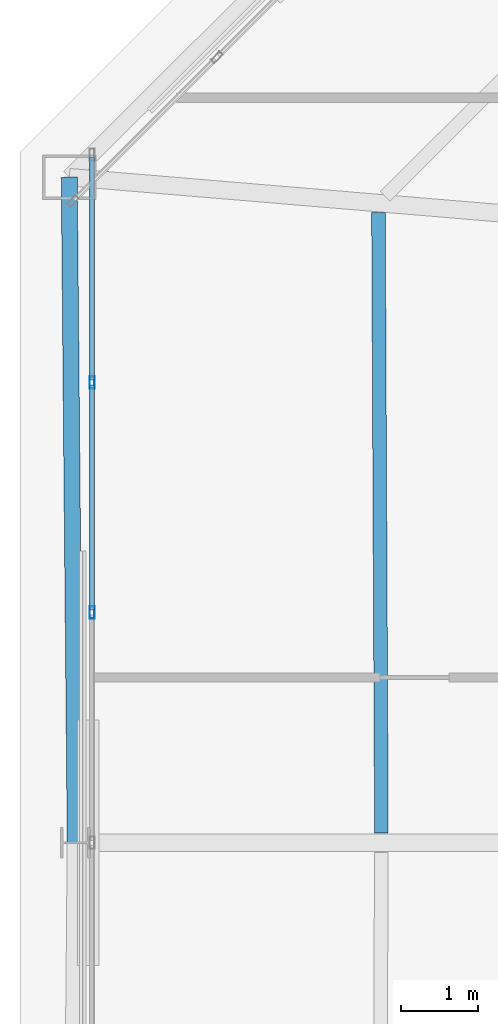
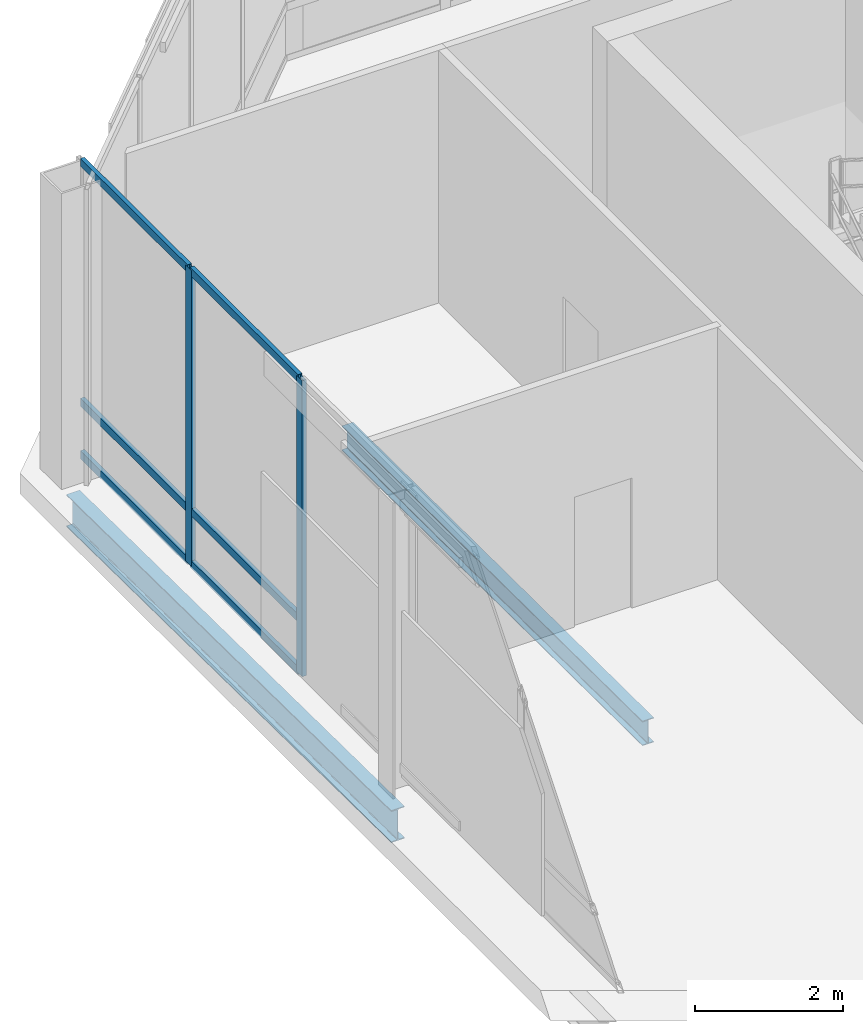
# One storey, part 8 of 21: 8 members, 2 beams, 1 element without a shape of its own.
"""IFC4 building model written with IfcOpenShell, lengths in metres."""

from ifc_helpers import new_model, si_unit, direction, frame, origin, origin_2d, place, context, subcontext, project, spatial, hollow_rectangle, i_section, extrude, material, layer, layer_set, material_profile, profile_set, type_object, element, aggregate, save


model = new_model("IFC4")

# Units and contexts
model_context = context("Model", 3, precision=1e-05, world=origin(), true_north=direction((0.0, 1.0)))
body_context = subcontext(model_context, "Body", "Model", "MODEL_VIEW")
ifc_project = project(units=[si_unit("LENGTHUNIT", "METRE"), si_unit("AREAUNIT", "SQUARE_METRE"), si_unit("VOLUMEUNIT", "CUBIC_METRE"), si_unit("PLANEANGLEUNIT", "RADIAN"), si_unit("MASSUNIT", "GRAM", prefix="KILO")], contexts=[model_context])

# Site, building, storey
site_placement = place(None, origin())
site = spatial("IfcSite", under=ifc_project, at=site_placement, CompositionType="ELEMENT")
building_placement = place(site_placement, origin())
building = spatial("IfcBuilding", under=site, at=building_placement, Name="Caelvoria Tower", CompositionType="ELEMENT")
storey_placement = place(building_placement, frame((0.0, 0.0, 279.0)))
storey = spatial("IfcBuildingStorey", under=building, at=storey_placement, Name="L74", CompositionType="ELEMENT", Elevation=279.0)

# Curtain wall, members
ifc_material_1 = material(Name="Anodised Bronze Aluminium and Low-E Glass", Category="aluminium")
ifc_layer = layer(ifc_material_1, 0.205078125, Name="Anodised Bronze Aluminium and Low-E Glass")
ifc_layer_set = layer_set([ifc_layer], Name="CW System 5 Observation Panorama Low-Iron Facade - Anodised Bronze Aluminium and Low-E Glass")
curtain_wall_type = type_object("IfcCurtainWallType", Name="CW System 5 Observation Panorama Low-Iron Facade", PredefinedType="NOTDEFINED", material=ifc_layer_set)
curtain_wall_placement = place(storey_placement, origin())
curtain_wall = element("IfcCurtainWall", 1, at=curtain_wall_placement, inside=storey, type_object=curtain_wall_type, Name="CW-05 Curtain Wall L74-E6", PredefinedType="NOTDEFINED")
ifc_material_2 = material(Name="Anodised Bronze Architectural Aluminium", Category="aluminium")
ifc_material_profile_1 = material_profile(ifc_material_2, hollow_rectangle(XDim=0.06494140625, YDim=0.159912109375, WallThickness=0.00390625, at=origin_2d()), Name="Anodised Bronze Architectural Aluminium")
ifc_profile_set_1 = profile_set([ifc_material_profile_1], Name="CW_MULL_65X160 - Anodised Bronze Architectural Aluminium")
member_type_1 = type_object("IfcMemberType", Name="Curtain Wall Mullion 65x160 Bronze Aluminium", PredefinedType="MULLION", material=ifc_profile_set_1)
member_1_placement = place(storey_placement, frame((29.239990234375, 38.0, 0.0), z_axis=(0.0, 0.0, 1.0), x_axis=(1.0, 0.0, 0.0)))
member_1 = element("IfcMember", 2, at=member_1_placement, type_object=member_type_1, Name="CW-05 mullion 2", PredefinedType="MULLION", context=body_context, shape_type="SweptSolid", body=[
    extrude(hollow_rectangle(XDim=0.06494140625, YDim=0.159912109375, WallThickness=0.00390625, at=origin_2d()), origin(), (0.0, 0.0, 1.0), 4.89990234375),
])
member_2_placement = place(storey_placement, frame((29.239990234375, 35.0, 0.0), z_axis=(0.0, 0.0, 1.0), x_axis=(1.0, 0.0, 0.0)))
member_2 = element("IfcMember", 3, at=member_2_placement, type_object=member_type_1, Name="CW-05 mullion 3", PredefinedType="MULLION", context=body_context, shape_type="SweptSolid", body=[
    extrude(hollow_rectangle(XDim=0.06494140625, YDim=0.159912109375, WallThickness=0.00390625, at=origin_2d()), origin(), (0.0, 0.0, 1.0), 4.89990234375),
])
ifc_material_profile_2 = material_profile(ifc_material_2, hollow_rectangle(XDim=0.06494140625, YDim=0.1298828125, WallThickness=0.00341796875, at=origin_2d()), Name="Anodised Bronze Architectural Aluminium")
ifc_profile_set_2 = profile_set([ifc_material_profile_2], Name="CW_TRAN_65X130 - Anodised Bronze Architectural Aluminium")
member_type_2 = type_object("IfcMemberType", Name="Curtain Wall Transom 65x130 Bronze Aluminium", PredefinedType="USERDEFINED", material=ifc_profile_set_2)
member_3_placement = place(storey_placement, frame((29.239990234375, 40.93505859375, 0.032470703125), z_axis=(0.0, -1.0, 0.0), x_axis=(1.0, 0.0, 0.0)))
member_3 = element("IfcMember", 4, at=member_3_placement, type_object=member_type_2, Name="CW-05 transom 1.1", ObjectType="TRANSOM", PredefinedType="USERDEFINED", context=body_context, shape_type="SweptSolid", body=[
    extrude(hollow_rectangle(XDim=0.06494140625, YDim=0.1298828125, WallThickness=0.00341796875, at=origin_2d()), origin(), (0.0, 0.0, 1.0), 2.902587890625),
])
member_4_placement = place(storey_placement, frame((29.239990234375, 40.93505859375, 0.89990234375), z_axis=(0.0, -1.0, 0.0), x_axis=(1.0, 0.0, 0.0)))
member_4 = element("IfcMember", 5, at=member_4_placement, type_object=member_type_2, Name="CW-05 transom 1.2", ObjectType="TRANSOM", PredefinedType="USERDEFINED", context=body_context, shape_type="SweptSolid", body=[
    extrude(hollow_rectangle(XDim=0.06494140625, YDim=0.1298828125, WallThickness=0.00341796875, at=origin_2d()), origin(), (0.0, 0.0, 1.0), 2.902587890625),
])
member_5_placement = place(storey_placement, frame((29.239990234375, 40.93505859375, 4.867431640625), z_axis=(0.0, -1.0, 0.0), x_axis=(1.0, 0.0, 0.0)))
member_5 = element("IfcMember", 6, at=member_5_placement, type_object=member_type_2, Name="CW-05 transom 1.3", ObjectType="TRANSOM", PredefinedType="USERDEFINED", context=body_context, shape_type="SweptSolid", body=[
    extrude(hollow_rectangle(XDim=0.06494140625, YDim=0.1298828125, WallThickness=0.00341796875, at=origin_2d()), origin(), (0.0, 0.0, 1.0), 2.902587890625),
])
member_6_placement = place(storey_placement, frame((29.239990234375, 37.967529296875, 0.032470703125), z_axis=(0.0, -1.0, 0.0), x_axis=(1.0, 0.0, 0.0)))
member_6 = element("IfcMember", 7, at=member_6_placement, type_object=member_type_2, Name="CW-05 transom 2.1", ObjectType="TRANSOM", PredefinedType="USERDEFINED", context=body_context, shape_type="SweptSolid", body=[
    extrude(hollow_rectangle(XDim=0.06494140625, YDim=0.1298828125, WallThickness=0.00341796875, at=origin_2d()), origin(), (0.0, 0.0, 1.0), 2.93505859375),
])
member_7_placement = place(storey_placement, frame((29.239990234375, 37.967529296875, 0.89990234375), z_axis=(0.0, -1.0, 0.0), x_axis=(1.0, 0.0, 0.0)))
member_7 = element("IfcMember", 8, at=member_7_placement, type_object=member_type_2, Name="CW-05 transom 2.2", ObjectType="TRANSOM", PredefinedType="USERDEFINED", context=body_context, shape_type="SweptSolid", body=[
    extrude(hollow_rectangle(XDim=0.06494140625, YDim=0.1298828125, WallThickness=0.00341796875, at=origin_2d()), origin(), (0.0, 0.0, 1.0), 2.93505859375),
])
member_8_placement = place(storey_placement, frame((29.239990234375, 37.967529296875, 4.867431640625), z_axis=(0.0, -1.0, 0.0), x_axis=(1.0, 0.0, 0.0)))
member_8 = element("IfcMember", 9, at=member_8_placement, type_object=member_type_2, Name="CW-05 transom 2.3", ObjectType="TRANSOM", PredefinedType="USERDEFINED", context=body_context, shape_type="SweptSolid", body=[
    extrude(hollow_rectangle(XDim=0.06494140625, YDim=0.1298828125, WallThickness=0.00341796875, at=origin_2d()), origin(), (0.0, 0.0, 1.0), 2.93505859375),
])
aggregate(curtain_wall, [member_1, member_2, member_3, member_4, member_5, member_6, member_7, member_8])

# Beams
ifc_material_3 = material(Name="Structural Steel ASTM A992 Gr.50", Category="steel")
ifc_material_profile_3 = material_profile(ifc_material_3, i_section(OverallWidth=0.177978515625, OverallDepth=0.406982421875, WebThickness=0.0078125, FlangeThickness=0.0126953125, FilletRadius=0.013916015625, at=origin_2d()), Name="Structural Steel ASTM A992 Gr.50")
ifc_profile_set_3 = profile_set([ifc_material_profile_3], Name="W410X60 - Structural Steel ASTM A992 Gr.50")
beam_type_1 = type_object("IfcBeamType", Name="Secondary Floor Beam W410X60", PredefinedType="BEAM", material=ifc_profile_set_3)
beam_1_placement = place(storey_placement, frame((32.971435546875, 40.2119140625, -0.54345703125), z_axis=(0.00470952391, -0.999988910131, 0.0), x_axis=(0.999988910131, 0.00470952391, 0.0)))
element("IfcBeam", 10, at=beam_1_placement, inside=storey, type_object=beam_type_1, Name="Secondary Floor Beam L74-09", PredefinedType="BEAM", context=body_context, shape_type="SweptSolid", body=[
    extrude(i_section(OverallWidth=0.177978515625, OverallDepth=0.406982421875, WebThickness=0.0078125, FlangeThickness=0.0126953125, FilletRadius=0.013916015625, at=origin_2d()), origin(), (0.0, 0.0, 1.0), 8.0869140625),
])
ifc_material_profile_4 = material_profile(ifc_material_3, i_section(OverallWidth=0.208984375, OverallDepth=0.532958984375, WebThickness=0.01025390625, FlangeThickness=0.015625, FilletRadius=0.01611328125, at=origin_2d()), Name="Structural Steel ASTM A992 Gr.50")
ifc_profile_set_4 = profile_set([ifc_material_profile_4], Name="W530X92 - Structural Steel ASTM A992 Gr.50")
beam_type_2 = type_object("IfcBeamType", Name="Upper Zone Spandrel W530X92", PredefinedType="BEAM", material=ifc_profile_set_4)
beam_2_placement = place(storey_placement, frame((28.94189453125, 40.673583984375, -0.6064453125), z_axis=(0.009006868577, -0.999959437337, 0.0), x_axis=(0.999959437337, 0.009006868577, 0.0)))
element("IfcBeam", 11, at=beam_2_placement, inside=storey, type_object=beam_type_2, Name="Perimeter Spandrel Girder L74-09", PredefinedType="BEAM", context=body_context, shape_type="SweptSolid", body=[
    extrude(i_section(OverallWidth=0.208984375, OverallDepth=0.532958984375, WebThickness=0.01025390625, FlangeThickness=0.015625, FilletRadius=0.01611328125, at=origin_2d()), origin(), (0.0, 0.0, 1.0), 8.673828125),
])

save(model, "model.ifc")
